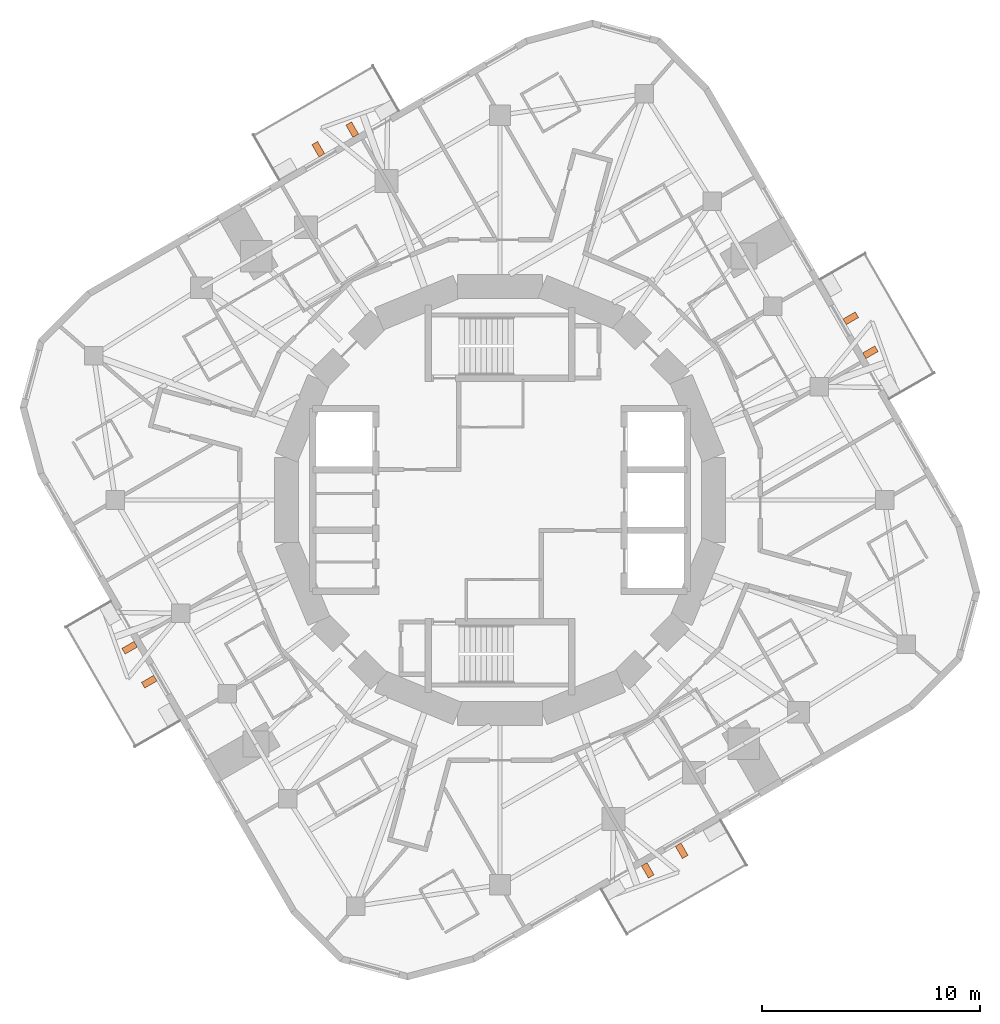
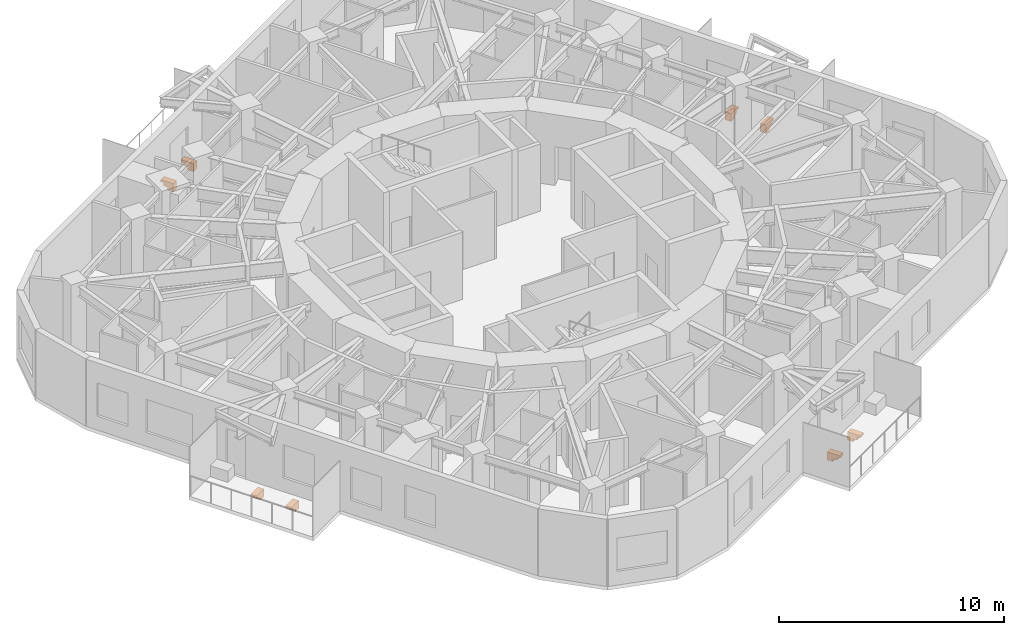
# One storey, part 11 of 11: 8 proxies.
"""IFC4 building model written with IfcOpenShell, lengths in metres."""

from ifc_helpers import new_model, si_unit, direction, frame, origin, place, context, subcontext, project, spatial, polyline, outline, extrude, material, type_object, element, save


model = new_model("IFC4")

# Units and contexts
model_context = context("Model", 3, precision=1e-05, world=origin(), true_north=direction((0.0, 1.0)))
body_context = subcontext(model_context, "Body", "Model", "MODEL_VIEW")
ifc_project = project(units=[si_unit("LENGTHUNIT", "METRE"), si_unit("AREAUNIT", "SQUARE_METRE"), si_unit("VOLUMEUNIT", "CUBIC_METRE"), si_unit("PLANEANGLEUNIT", "RADIAN"), si_unit("MASSUNIT", "GRAM", prefix="KILO")], contexts=[model_context])

# Site, building, storey
site_placement = place(None, origin())
site = spatial("IfcSite", under=ifc_project, at=site_placement, CompositionType="ELEMENT")
building_placement = place(site_placement, origin())
building = spatial("IfcBuilding", under=site, at=building_placement, Name="Nakasero Lantern House", CompositionType="ELEMENT")
storey_placement = place(building_placement, frame((0.0, 0.0, 234.64990234375)))
storey = spatial("IfcBuildingStorey", under=building, at=storey_placement, Name="L57", CompositionType="ELEMENT", Elevation=234.64990234375)

# Proxies
ifc_material = material(Name="Concrete C40/50 precast", Category="concrete")
building_element_proxy_type = type_object("IfcBuildingElementProxyType", Name="Balcony bracket 300", PredefinedType="USERDEFINED", material=ifc_material)
for number, where, z_axis, x_axis, name in (
    (1, (16.7294921875, 6.62353515625, -0.199951171875), (0.0, 0.0, 1.0), (0.866025404, 0.5, 0.0), "Balcony bracket L57 0A"),
    (2, (15.82958984375, 8.182373046875, -0.199951171875), (0.0, 0.0, 1.0), (0.866025404, 0.5, 0.0), "Balcony bracket L57 0B"),
    (3, (-6.62353515625, 16.7294921875, -0.199951171875), (0.0, 0.0, 1.0), (-0.5, 0.866025404, 0.0), "Balcony bracket L57 1A"),
    (4, (-8.182373046875, 15.82958984375, -0.199951171875), (0.0, 0.0, 1.0), (-0.5, 0.866025404, 0.0), "Balcony bracket L57 1B"),
    (5, (-16.7294921875, -6.62353515625, -0.199951171875), (0.0, 0.0, 1.0), (-0.866025404, -0.5, 0.0), "Balcony bracket L57 2A"),
    (6, (-15.82958984375, -8.182373046875, -0.199951171875), (0.0, 0.0, 1.0), (-0.866025404, -0.5, 0.0), "Balcony bracket L57 2B"),
    (7, (6.62353515625, -16.7294921875, -0.199951171875), (0.0, 0.0, 1.0), (0.5, -0.866025404, 0.0), "Balcony bracket L57 3A"),
    (8, (8.182373046875, -15.82958984375, -0.199951171875), (0.0, 0.0, 1.0), (0.5, -0.866025404, 0.0), "Balcony bracket L57 3B"),
):
    element("IfcBuildingElementProxy", number, at=place(storey_placement, frame(where, z_axis=z_axis, x_axis=x_axis)), inside=storey, type_object=building_element_proxy_type, Name=name, ObjectType="BALCONY BRACKET", PredefinedType="USERDEFINED", context=body_context, shape_type="SweptSolid", body=[
        extrude(outline(polyline([(0.0, 0.0), (0.64990234375, 0.0), (0.64990234375, -0.1201171875), (0.5, -0.1201171875), (0.5, -0.280029296875), (0.300048828125, -0.280029296875), (0.300048828125, -0.43994140625), (0.0, -0.43994140625), (0.0, 0.0)])), frame((0.0, 0.14990234375, 0.0), z_axis=(0.0, -1.0, 0.0), x_axis=(1.0, 0.0, 0.0)), (0.0, 0.0, 1.0), 0.300048828125),
    ])

save(model, "model.ifc")
